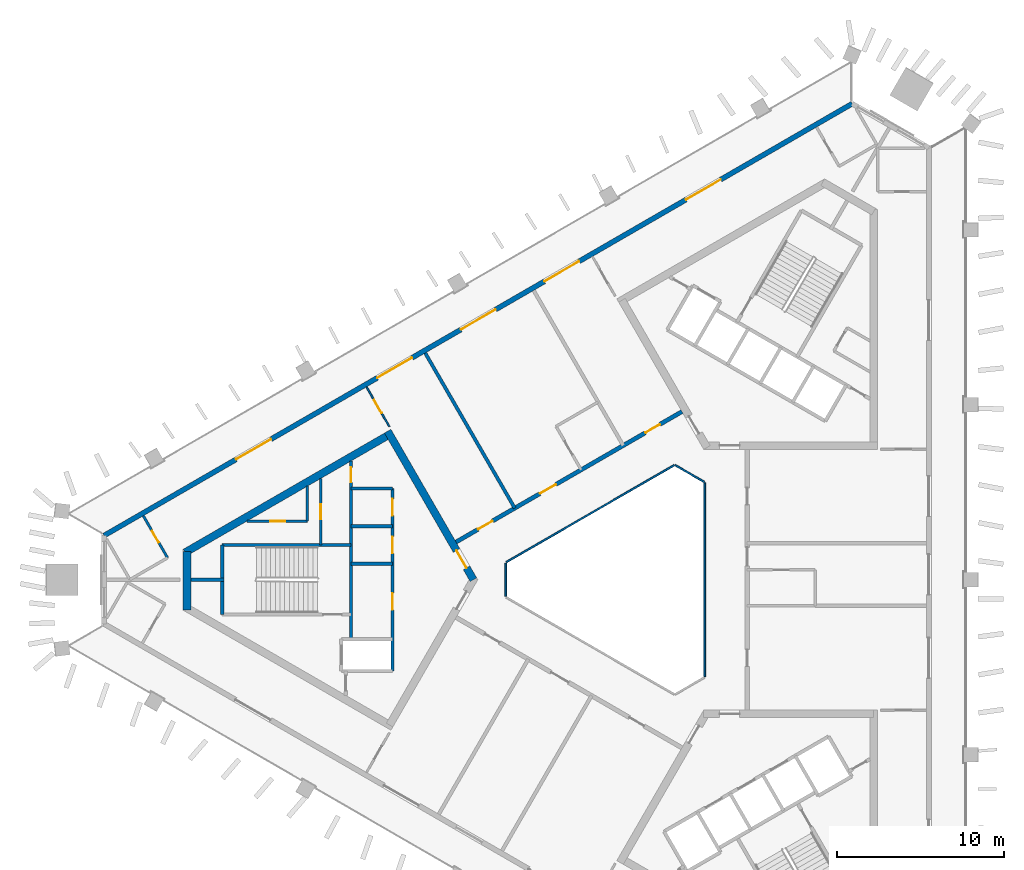
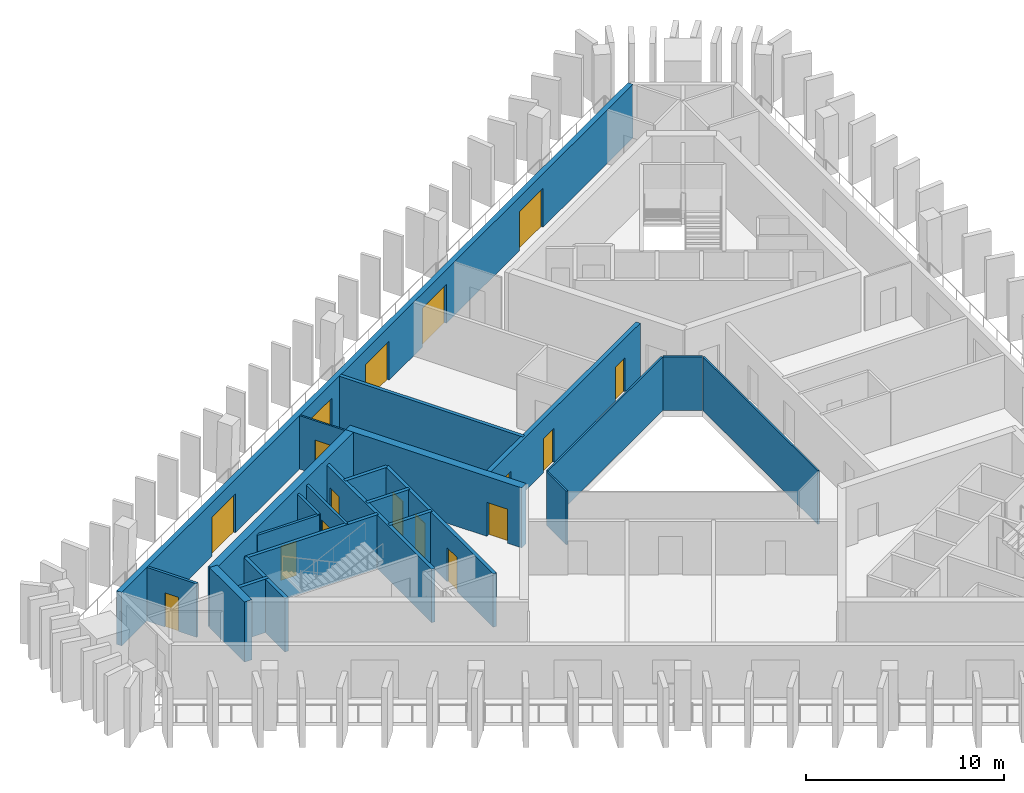
# One storey, part 4 of 9: 23 walls, 17 doors, 17 openings.
"""IFC4 building model written with IfcOpenShell, lengths in metres."""

from ifc_helpers import new_model, si_unit, direction, frame, frame_2d, origin, place, context, subcontext, project, spatial, rectangle, extrude, material, layer, layer_set, type_object, element, fill, save


model = new_model("IFC4")

# Units and contexts
model_context = context("Model", 3, precision=1e-05, world=origin(), true_north=direction((0.0, 1.0)))
body_context = subcontext(model_context, "Body", "Model", "MODEL_VIEW")
ifc_project = project(units=[si_unit("LENGTHUNIT", "METRE"), si_unit("AREAUNIT", "SQUARE_METRE"), si_unit("VOLUMEUNIT", "CUBIC_METRE"), si_unit("PLANEANGLEUNIT", "RADIAN"), si_unit("MASSUNIT", "GRAM", prefix="KILO")], contexts=[model_context])

# Site, building, storey
site_placement = place(None, origin())
site = spatial("IfcSite", under=ifc_project, at=site_placement, CompositionType="ELEMENT")
building_placement = place(site_placement, origin())
building = spatial("IfcBuilding", under=site, at=building_placement, Name="Jabali Bay Hotel Tower and Convention Centre", CompositionType="ELEMENT")
storey_placement = place(building_placement, frame((0.0, 0.0, 205.800048828125)))
storey = spatial("IfcBuildingStorey", under=building, at=storey_placement, Name="L50", CompositionType="ELEMENT", Elevation=205.800048828125)

# Walls
ifc_material_1 = material(Name="Fire-resistant glazing", Category="glass")
ifc_layer_1 = layer(ifc_material_1, 0.10009765625)
ifc_layer_set_1 = layer_set([ifc_layer_1], Name="Fire-resistant glazing")
wall_type_1 = type_object("IfcWallType", Name="Atrium glazed screen 100", PredefinedType="PARTITIONING", material=ifc_layer_set_1)
wall_1_placement = place(storey_placement, frame((79.56005859375, 74.205810546875, 0.0), z_axis=(0.0, 0.0, 1.0), x_axis=(0.0, 1.0, 0.0)))
element("IfcWall", 1, at=wall_1_placement, inside=storey, type_object=wall_type_1, Name="Atrium screen 1 L50", PredefinedType="PARTITIONING", context=body_context, shape_type="SweptSolid", body=[
    extrude(rectangle(XDim=11.58837890625, YDim=0.10009765625, at=frame_2d((5.794189453125, 0.0))), origin(), (0.0, 0.0, 1.0), 3.300048828125),
])
wall_2_placement = place(storey_placement, frame((79.530029296875, 85.84619140625, 0.0), z_axis=(0.0, 0.0, 1.0), x_axis=(-0.866041268327, 0.499972520799, 0.0)))
element("IfcWall", 2, at=wall_2_placement, inside=storey, type_object=wall_type_1, Name="Atrium screen 2 L50", PredefinedType="PARTITIONING", context=body_context, shape_type="SweptSolid", body=[
    extrude(rectangle(XDim=2.0, YDim=0.10009765625, at=frame_2d((1.0, 0.0))), origin(), (0.0, 0.0, 1.0), 3.300048828125),
])
wall_3_placement = place(storey_placement, frame((77.738037109375, 86.84619140625, 0.0), z_axis=(0.0, 0.0, 1.0), x_axis=(-0.866026658274, -0.499997827154, 0.0)))
element("IfcWall", 3, at=wall_3_placement, inside=storey, type_object=wall_type_1, Name="Atrium screen 3 L50", PredefinedType="PARTITIONING", context=body_context, shape_type="SweptSolid", body=[
    extrude(rectangle(XDim=11.58837890625, YDim=0.10009765625, at=frame_2d((5.794189453125, 0.0))), origin(), (0.0, 0.0, 1.0), 3.300048828125),
])
wall_4_placement = place(storey_placement, frame((67.672119140625, 81.0, 0.0), z_axis=(0.0, 0.0, 1.0), x_axis=(0.0, -1.0, 0.0)))
element("IfcWall", 4, at=wall_4_placement, inside=storey, type_object=wall_type_1, Name="Atrium screen 4 L50", PredefinedType="PARTITIONING", context=body_context, shape_type="SweptSolid", body=[
    extrude(rectangle(XDim=2.0, YDim=0.10009765625, at=frame_2d((1.0, 0.0))), origin(), (0.0, 0.0, 1.0), 3.300048828125),
])
ifc_material_2 = material(Name="Concrete C40", Category="concrete")
ifc_layer_2 = layer(ifc_material_2, 0.199951171875)
ifc_layer_set_2 = layer_set([ifc_layer_2], Name="Concrete C40")
wall_type_2 = type_object("IfcWallType", Name="Core partition wall 200", PredefinedType="PARTITIONING", material=ifc_layer_set_2)
wall_5_placement = place(storey_placement, frame((50.820068359375, 80.0, 0.0), z_axis=(0.0, 0.0, 1.0), x_axis=(-1.0, 0.0, 0.0)))
element("IfcWall", 5, at=wall_5_placement, inside=storey, type_object=wall_type_2, Name="Core wall 0.5 L50", PredefinedType="PARTITIONING", context=body_context, shape_type="SweptSolid", body=[
    extrude(rectangle(XDim=1.97314453125, YDim=0.199951171875, at=frame_2d((0.986572265625, 0.0))), origin(), (0.0, 0.0, 1.0), 3.300048828125),
])

# Wall, opening, door
ifc_material_3 = material(Name="Fire-rated board partition")
ifc_layer_3 = layer(ifc_material_3, 0.14990234375)
ifc_layer_set_3 = layer_set([ifc_layer_3], Name="Fire-rated board partition")
wall_type_3 = type_object("IfcWallType", Name="Core room partition 150", PredefinedType="PARTITIONING", material=ifc_layer_set_3)
wall_6_placement = place(storey_placement, frame((55.820068359375, 83.5, 0.0), z_axis=(0.0, 0.0, 1.0), x_axis=(-1.0, 0.0, 0.0)))
wall_6 = element("IfcWall", 6, at=wall_6_placement, inside=storey, type_object=wall_type_3, Name="Core wall 0.1 L50", PredefinedType="PARTITIONING", context=body_context, shape_type="SweptSolid", body=[
    extrude(rectangle(XDim=3.617919921875, YDim=0.14990234375, at=frame_2d((1.80908203125, 0.0))), origin(), (0.0, 0.0, 1.0), 3.300048828125),
])
opening_1_placement = place(wall_6_placement, frame((1.33154296875, 0.0, 0.0)))
opening_1 = element("IfcOpeningElement", 7, at=opening_1_placement, cuts=wall_6, Name="Opening D1082", PredefinedType="OPENING", context=body_context, shape_type="SweptSolid", body=[
    extrude(rectangle(XDim=0.89990234375, YDim=2.10009765625, at=frame_2d((0.449951171875, 1.050048828125))), frame((0.0, 0.08544921875, 0.0), z_axis=(0.0, -1.0, 0.0), x_axis=(1.0, 0.0, 0.0)), (0.0, 0.0, 1.0), 0.1708984375),
])
ifc_material_4 = material(Name="Fire-rated steel door", Category="steel")
door_type_1 = type_object("IfcDoorType", Name="Core room door 900 x 2100", OperationType="NOTDEFINED", PredefinedType="NOTDEFINED", material=ifc_material_4)
door_1_placement = place(opening_1_placement, origin())
door_1 = element("IfcDoor", 8, at=door_1_placement, inside=storey, type_object=door_type_1, Name="Core room door D1082", OperationType="SINGLE_SWING_LEFT", OverallHeight=2.10009765625, OverallWidth=0.89990234375, PredefinedType="NOTDEFINED", context=body_context, shape_type="SweptSolid", body=[
    extrude(rectangle(XDim=0.89990234375, YDim=2.10009765625, at=frame_2d((0.449951171875, 1.050048828125))), frame((0.0, 0.02490234375, 0.0), z_axis=(0.0, -1.0, 0.0), x_axis=(1.0, 0.0, 0.0)), (0.0, 0.0, 1.0), 0.050048828125),
])
fill(opening_1, door_1)

wall_7_placement = place(storey_placement, frame((56.6201171875, 86.050537109375, 0.0), z_axis=(0.0, 0.0, 1.0), x_axis=(0.0, -1.0, 0.0)))
wall_7 = element("IfcWall", 9, at=wall_7_placement, inside=storey, type_object=wall_type_3, Name="Core wall 0.13 L50", PredefinedType="PARTITIONING", context=body_context, shape_type="SweptSolid", body=[
    extrude(rectangle(XDim=3.9755859375, YDim=0.14990234375, at=frame_2d((1.98779296875, 0.0))), origin(), (0.0, 0.0, 1.0), 3.300048828125),
])
opening_2_placement = place(wall_7_placement, frame((1.537841796875, 0.0, 0.0)))
opening_2 = element("IfcOpeningElement", 10, at=opening_2_placement, cuts=wall_7, Name="Opening D1078", PredefinedType="OPENING", context=body_context, shape_type="SweptSolid", body=[
    extrude(rectangle(XDim=0.89990234375, YDim=2.10009765625, at=frame_2d((0.449951171875, 1.050048828125))), frame((0.0, 0.08544921875, 0.0), z_axis=(0.0, -1.0, 0.0), x_axis=(1.0, 0.0, 0.0)), (0.0, 0.0, 1.0), 0.1708984375),
])
door_2_placement = place(opening_2_placement, origin())
door_2 = element("IfcDoor", 11, at=door_2_placement, inside=storey, type_object=door_type_1, Name="Core room door D1078", OperationType="SINGLE_SWING_RIGHT", OverallHeight=2.10009765625, OverallWidth=0.89990234375, PredefinedType="NOTDEFINED", context=body_context, shape_type="SweptSolid", body=[
    extrude(rectangle(XDim=0.89990234375, YDim=2.10009765625, at=frame_2d((0.449951171875, 1.050048828125))), frame((0.0, 0.02490234375, 0.0), z_axis=(0.0, -1.0, 0.0), x_axis=(1.0, 0.0, 0.0)), (0.0, 0.0, 1.0), 0.050048828125),
])
fill(opening_2, door_2)

# Walls
wall_8_placement = place(storey_placement, frame((55.820068359375, 85.5888671875, 0.0), z_axis=(0.0, 0.0, 1.0), x_axis=(0.0, -1.0, 0.0)))
element("IfcWall", 12, at=wall_8_placement, inside=storey, type_object=wall_type_3, Name="Core wall 0.14 L50", PredefinedType="PARTITIONING", context=body_context, shape_type="SweptSolid", body=[
    extrude(rectangle(XDim=2.0888671875, YDim=0.14990234375, at=frame_2d((1.04443359375, 0.0))), origin(), (0.0, 0.0, 1.0), 3.300048828125),
])
ifc_layer_4 = layer(ifc_material_2, 0.199951171875)
ifc_layer_set_4 = layer_set([ifc_layer_4], Name="Concrete C40")
wall_type_4 = type_object("IfcWallType", Name="Core stair wall 200", PredefinedType="SOLIDWALL", material=ifc_layer_set_4)
for number, where, z_axis, x_axis, name in (
    (13, (60.89990234375, 85.449951171875, 0.0), (0.0, 0.0, 1.0), (-1.0, 0.0, 0.0), "Core wall 0.0 L50"),
    (14, (60.89990234375, 83.199951171875, 0.0), (0.0, 0.0, 1.0), (-1.0, 0.0, 0.0), "Core wall 0.2 L50"),
):
    element("IfcWall", number, at=place(storey_placement, frame(where, z_axis=z_axis, x_axis=x_axis)), inside=storey, type_object=wall_type_4, Name=name, PredefinedType="SOLIDWALL", context=body_context, shape_type="SweptSolid", body=[
        extrude(rectangle(XDim=2.47998046875, YDim=0.199951171875, at=frame_2d((1.239990234375, 0.0))), origin(), (0.0, 0.0, 1.0), 3.300048828125),
    ])
wall_9_placement = place(storey_placement, frame((58.419921875, 82.074951171875, 0.0), z_axis=(0.0, 0.0, 1.0), x_axis=(-1.0, 0.0, 0.0)))
element("IfcWall", 15, at=wall_9_placement, inside=storey, type_object=wall_type_4, Name="Core wall 0.3 L50", PredefinedType="SOLIDWALL", context=body_context, shape_type="SweptSolid", body=[
    extrude(rectangle(XDim=7.699951171875, YDim=0.199951171875, at=frame_2d((3.85009765625, 0.0))), origin(), (0.0, 0.0, 1.0), 3.300048828125),
])
wall_10_placement = place(storey_placement, frame((60.89990234375, 80.949951171875, 0.0), z_axis=(0.0, 0.0, 1.0), x_axis=(-1.0, 0.0, 0.0)))
element("IfcWall", 16, at=wall_10_placement, inside=storey, type_object=wall_type_4, Name="Core wall 0.4 L50", PredefinedType="SOLIDWALL", context=body_context, shape_type="SweptSolid", body=[
    extrude(rectangle(XDim=2.47998046875, YDim=0.199951171875, at=frame_2d((1.239990234375, 0.0))), origin(), (0.0, 0.0, 1.0), 3.300048828125),
])

# Wall, openings, doors
wall_11_placement = place(storey_placement, frame((60.89990234375, 85.449951171875, 0.0), z_axis=(0.0, 0.0, 1.0), x_axis=(0.0, -1.0, 0.0)))
wall_11 = element("IfcWall", 17, at=wall_11_placement, inside=storey, type_object=wall_type_4, Name="Core wall 0.9 L50", PredefinedType="SOLIDWALL", context=body_context, shape_type="SweptSolid", body=[
    extrude(rectangle(XDim=10.89990234375, YDim=0.199951171875, at=frame_2d((5.449951171875, 0.0))), origin(), (0.0, 0.0, 1.0), 3.300048828125),
])
opening_3_placement = place(wall_11_placement, frame((0.625, 0.0, 0.0)))
opening_3 = element("IfcOpeningElement", 18, at=opening_3_placement, cuts=wall_11, Name="Opening D1075", PredefinedType="OPENING", context=body_context, shape_type="SweptSolid", body=[
    extrude(rectangle(XDim=1.0, YDim=2.10009765625, at=frame_2d((0.5, 1.050048828125))), frame((0.0, 0.1103515625, 0.0), z_axis=(0.0, -1.0, 0.0), x_axis=(1.0, 0.0, 0.0)), (0.0, 0.0, 1.0), 0.220947265625),
])
opening_4_placement = place(wall_11_placement, frame((2.875, 0.0, 0.0)))
opening_4 = element("IfcOpeningElement", 19, at=opening_4_placement, cuts=wall_11, Name="Opening D1076", PredefinedType="OPENING", context=body_context, shape_type="SweptSolid", body=[
    extrude(rectangle(XDim=1.0, YDim=2.10009765625, at=frame_2d((0.5, 1.050048828125))), frame((0.0, 0.1103515625, 0.0), z_axis=(0.0, -1.0, 0.0), x_axis=(1.0, 0.0, 0.0)), (0.0, 0.0, 1.0), 0.220947265625),
])
opening_5_placement = place(wall_11_placement, frame((6.25, 0.0, 0.0)))
opening_5 = element("IfcOpeningElement", 20, at=opening_5_placement, cuts=wall_11, Name="Opening D1077", PredefinedType="OPENING", context=body_context, shape_type="SweptSolid", body=[
    extrude(rectangle(XDim=1.0, YDim=2.10009765625, at=frame_2d((0.5, 1.050048828125))), frame((0.0, 0.1103515625, 0.0), z_axis=(0.0, -1.0, 0.0), x_axis=(1.0, 0.0, 0.0)), (0.0, 0.0, 1.0), 0.220947265625),
])
door_type_2 = type_object("IfcDoorType", Name="Core room door 1000 x 2100", OperationType="NOTDEFINED", PredefinedType="NOTDEFINED", material=ifc_material_4)
door_3_placement = place(opening_3_placement, origin())
door_3 = element("IfcDoor", 21, at=door_3_placement, inside=storey, type_object=door_type_2, Name="Core room door D1075", OperationType="SINGLE_SWING_RIGHT", OverallHeight=2.10009765625, OverallWidth=1.0, PredefinedType="NOTDEFINED", context=body_context, shape_type="SweptSolid", body=[
    extrude(rectangle(XDim=1.0, YDim=2.10009765625, at=frame_2d((0.5, 1.050048828125))), frame((0.0, 0.02490234375, 0.0), z_axis=(0.0, -1.0, 0.0), x_axis=(1.0, 0.0, 0.0)), (0.0, 0.0, 1.0), 0.050048828125),
])
fill(opening_3, door_3)
door_4_placement = place(opening_4_placement, origin())
door_4 = element("IfcDoor", 22, at=door_4_placement, inside=storey, type_object=door_type_2, Name="Core room door D1076", OperationType="SINGLE_SWING_RIGHT", OverallHeight=2.10009765625, OverallWidth=1.0, PredefinedType="NOTDEFINED", context=body_context, shape_type="SweptSolid", body=[
    extrude(rectangle(XDim=1.0, YDim=2.10009765625, at=frame_2d((0.5, 1.050048828125))), frame((0.0, 0.02490234375, 0.0), z_axis=(0.0, -1.0, 0.0), x_axis=(1.0, 0.0, 0.0)), (0.0, 0.0, 1.0), 0.050048828125),
])
fill(opening_4, door_4)
door_5_placement = place(opening_5_placement, origin())
door_5 = element("IfcDoor", 23, at=door_5_placement, inside=storey, type_object=door_type_2, Name="Core room door D1077", OperationType="SINGLE_SWING_RIGHT", OverallHeight=2.10009765625, OverallWidth=1.0, PredefinedType="NOTDEFINED", context=body_context, shape_type="SweptSolid", body=[
    extrude(rectangle(XDim=1.0, YDim=2.10009765625, at=frame_2d((0.5, 1.050048828125))), frame((0.0, 0.02490234375, 0.0), z_axis=(0.0, -1.0, 0.0), x_axis=(1.0, 0.0, 0.0)), (0.0, 0.0, 1.0), 0.050048828125),
])
fill(opening_5, door_5)

# Wall, opening, door
wall_12_placement = place(storey_placement, frame((58.419921875, 87.08984375, 0.0), z_axis=(0.0, 0.0, 1.0), x_axis=(0.0, -1.0, 0.0)))
wall_12 = element("IfcWall", 24, at=wall_12_placement, inside=storey, type_object=wall_type_4, Name="Core wall 0.10 L50", PredefinedType="SOLIDWALL", context=body_context, shape_type="SweptSolid", body=[
    extrude(rectangle(XDim=10.639892578125, YDim=0.199951171875, at=frame_2d((5.31982421875, 0.0))), origin(), (0.0, 0.0, 1.0), 3.300048828125),
])
opening_6_placement = place(wall_12_placement, frame((0.369873046875, 0.0, 0.0)))
opening_6 = element("IfcOpeningElement", 25, at=opening_6_placement, cuts=wall_12, Name="Opening D1080", PredefinedType="OPENING", context=body_context, shape_type="SweptSolid", body=[
    extrude(rectangle(XDim=0.89990234375, YDim=2.10009765625, at=frame_2d((0.449951171875, 1.050048828125))), frame((0.0, 0.1103515625, 0.0), z_axis=(0.0, -1.0, 0.0), x_axis=(1.0, 0.0, 0.0)), (0.0, 0.0, 1.0), 0.220947265625),
])
door_type_3 = type_object("IfcDoorType", Name="Vestibule fire door 900 x 2100", OperationType="NOTDEFINED", PredefinedType="NOTDEFINED", material=ifc_material_4)
door_6_placement = place(opening_6_placement, origin())
door_6 = element("IfcDoor", 26, at=door_6_placement, inside=storey, type_object=door_type_3, Name="Vestibule fire door D1080", OperationType="SINGLE_SWING_LEFT", OverallHeight=2.10009765625, OverallWidth=0.89990234375, PredefinedType="NOTDEFINED", context=body_context, shape_type="SweptSolid", body=[
    extrude(rectangle(XDim=0.89990234375, YDim=2.10009765625, at=frame_2d((0.449951171875, 1.050048828125))), frame((0.0, 0.02490234375, 0.0), z_axis=(0.0, -1.0, 0.0), x_axis=(1.0, 0.0, 0.0)), (0.0, 0.0, 1.0), 0.050048828125),
])
fill(opening_6, door_6)

# Wall
wall_13_placement = place(storey_placement, frame((50.719970703125, 82.074951171875, 0.0), z_axis=(0.0, 0.0, 1.0), x_axis=(0.0, -1.0, 0.0)))
element("IfcWall", 27, at=wall_13_placement, inside=storey, type_object=wall_type_4, Name="Core wall 0.15 L50", PredefinedType="SOLIDWALL", context=body_context, shape_type="SweptSolid", body=[
    extrude(rectangle(XDim=4.14990234375, YDim=0.199951171875, at=frame_2d((2.074951171875, 0.0))), origin(), (0.0, 0.0, 1.0), 3.300048828125),
])

# Wall, opening, door
ifc_material_5 = material(Name="Concrete C60", Category="concrete")
ifc_layer_5 = layer(ifc_material_5, 0.449951171875)
ifc_layer_set_5 = layer_set([ifc_layer_5], Name="Concrete C60")
wall_type_5 = type_object("IfcWallType", Name="Core wall 450", PredefinedType="SHEAR", material=ifc_layer_set_5)
wall_14_placement = place(storey_placement, frame((65.740234375, 80.0, 0.0), z_axis=(0.0, 0.0, 1.0), x_axis=(-0.499991857942, 0.866030104553, 0.0)))
wall_14 = element("IfcWall", 28, at=wall_14_placement, inside=storey, type_object=wall_type_5, Name="Core wall 1.1 L50", PredefinedType="SHEAR", context=body_context, shape_type="SweptSolid", body=[
    extrude(rectangle(XDim=10.250244140625, YDim=0.449951171875, at=frame_2d((5.125, 0.0))), origin(), (0.0, 0.0, 1.0), 3.699951171875),
])
opening_7_placement = place(wall_14_placement, frame((0.820068359375, 0.0, 0.0)))
opening_7 = element("IfcOpeningElement", 29, at=opening_7_placement, cuts=wall_14, Name="Opening D1073", PredefinedType="OPENING", context=body_context, shape_type="SweptSolid", body=[
    extrude(rectangle(XDim=1.199951171875, YDim=2.10009765625, at=frame_2d((0.60009765625, 1.050048828125))), frame((0.0, 0.2353515625, 0.0), z_axis=(0.0, -1.0, 0.0), x_axis=(1.0, 0.0, 0.0)), (0.0, 0.0, 1.0), 0.470947265625),
])
door_type_4 = type_object("IfcDoorType", Name="Corridor end fire door 1200 x 2100", OperationType="NOTDEFINED", PredefinedType="NOTDEFINED", material=ifc_material_4)
door_7_placement = place(opening_7_placement, origin())
door_7 = element("IfcDoor", 30, at=door_7_placement, inside=storey, type_object=door_type_4, Name="Corridor end fire door D1073", OperationType="SINGLE_SWING_RIGHT", OverallHeight=2.10009765625, OverallWidth=1.199951171875, PredefinedType="NOTDEFINED", context=body_context, shape_type="SweptSolid", body=[
    extrude(rectangle(XDim=1.199951171875, YDim=2.10009765625, at=frame_2d((0.60009765625, 1.050048828125))), frame((0.0, 0.02490234375, 0.0), z_axis=(0.0, -1.0, 0.0), x_axis=(1.0, 0.0, 0.0)), (0.0, 0.0, 1.0), 0.050048828125),
])
fill(opening_7, door_7)

# Walls
wall_15_placement = place(storey_placement, frame((60.7275390625, 88.681884765625, 0.0), z_axis=(0.0, 0.0, 1.0), x_axis=(-0.866021613849, -0.500006564303, 0.0)))
element("IfcWall", 31, at=wall_15_placement, inside=storey, type_object=wall_type_5, Name="Core wall 1.2 L50", PredefinedType="SHEAR", context=body_context, shape_type="SweptSolid", body=[
    extrude(rectangle(XDim=14.108154296875, YDim=0.449951171875, at=frame_2d((7.05419921875, 0.0))), origin(), (0.0, 0.0, 1.0), 3.699951171875),
])
wall_16_placement = place(storey_placement, frame((48.621826171875, 81.692626953125, 0.0), z_axis=(0.0, 0.0, 1.0), x_axis=(0.0, -1.0, 0.0)))
element("IfcWall", 32, at=wall_16_placement, inside=storey, type_object=wall_type_5, Name="Core wall 1.3 L50", PredefinedType="SHEAR", context=body_context, shape_type="SweptSolid", body=[
    extrude(rectangle(XDim=3.515380859375, YDim=0.449951171875, at=frame_2d((1.7578125, 0.0))), origin(), (0.0, 0.0, 1.0), 3.699951171875),
])

# Wall, openings, doors
ifc_layer_6 = layer(ifc_material_5, 0.25)
ifc_layer_set_6 = layer_set([ifc_layer_6], Name="Concrete C60")
wall_type_6 = type_object("IfcWallType", Name="Corridor wall 250", PredefinedType="SHEAR", material=ifc_layer_set_6)
wall_17_placement = place(storey_placement, frame((78.199951171875, 90.0458984375, 0.0), z_axis=(0.0, 0.0, 1.0), x_axis=(-0.866026492143, -0.499998114903, 0.0)))
wall_17 = element("IfcWall", 33, at=wall_17_placement, inside=storey, type_object=wall_type_6, Name="Corridor wall 2 L50", PredefinedType="SHEAR", context=body_context, shape_type="SweptSolid", body=[
    extrude(rectangle(XDim=15.58837890625, YDim=0.25, at=frame_2d((7.794189453125, 0.0))), origin(), (0.0, 0.0, 1.0), 3.300048828125),
])
opening_8_placement = place(wall_17_placement, frame((1.526611328125, 0.0, 0.0)))
opening_8 = element("IfcOpeningElement", 34, at=opening_8_placement, cuts=wall_17, Name="Opening 5009", PredefinedType="OPENING", context=body_context, shape_type="SweptSolid", body=[
    extrude(rectangle(XDim=1.0, YDim=2.10009765625, at=frame_2d((0.5, 1.050048828125))), frame((0.0, 0.135498046875, 0.0), z_axis=(0.0, -1.0, 0.0), x_axis=(1.0, 0.0, 0.0)), (0.0, 0.0, 1.0), 0.27099609375),
])
opening_9_placement = place(wall_17_placement, frame((8.694091796875, 0.0, 0.0)))
opening_9 = element("IfcOpeningElement", 35, at=opening_9_placement, cuts=wall_17, Name="Opening 5013", PredefinedType="OPENING", context=body_context, shape_type="SweptSolid", body=[
    extrude(rectangle(XDim=1.10009765625, YDim=2.10009765625, at=frame_2d((0.550048828125, 1.050048828125))), frame((0.0, 0.135498046875, 0.0), z_axis=(0.0, -1.0, 0.0), x_axis=(1.0, 0.0, 0.0)), (0.0, 0.0, 1.0), 0.27099609375),
])
opening_10_placement = place(wall_17_placement, frame((13.06201171875, 0.0, 0.0)))
opening_10 = element("IfcOpeningElement", 36, at=opening_10_placement, cuts=wall_17, Name="Opening 5014", PredefinedType="OPENING", context=body_context, shape_type="SweptSolid", body=[
    extrude(rectangle(XDim=1.0, YDim=2.10009765625, at=frame_2d((0.5, 1.050048828125))), frame((0.0, 0.135498046875, 0.0), z_axis=(0.0, -1.0, 0.0), x_axis=(1.0, 0.0, 0.0)), (0.0, 0.0, 1.0), 0.27099609375),
])
ifc_material_6 = material(Name="Timber", Category="wood")
door_type_5 = type_object("IfcDoorType", Name="Accessible guest room door 1100 x 2100", OperationType="NOTDEFINED", PredefinedType="NOTDEFINED", material=ifc_material_6)
door_8_placement = place(opening_9_placement, origin())
door_8 = element("IfcDoor", 37, at=door_8_placement, inside=storey, type_object=door_type_5, Name="Door 5013", OperationType="SINGLE_SWING_RIGHT", OverallHeight=2.10009765625, OverallWidth=1.10009765625, PredefinedType="NOTDEFINED", context=body_context, shape_type="SweptSolid", body=[
    extrude(rectangle(XDim=1.10009765625, YDim=2.10009765625, at=frame_2d((0.550048828125, 1.050048828125))), frame((0.0, 0.02490234375, 0.0), z_axis=(0.0, -1.0, 0.0), x_axis=(1.0, 0.0, 0.0)), (0.0, 0.0, 1.0), 0.050048828125),
])
fill(opening_9, door_8)
door_type_6 = type_object("IfcDoorType", Name="Guest room door 1000 x 2100", OperationType="NOTDEFINED", PredefinedType="NOTDEFINED", material=ifc_material_6)
door_9_placement = place(opening_8_placement, origin())
door_9 = element("IfcDoor", 38, at=door_9_placement, inside=storey, type_object=door_type_6, Name="Door 5009", OperationType="SINGLE_SWING_LEFT", OverallHeight=2.10009765625, OverallWidth=1.0, PredefinedType="NOTDEFINED", context=body_context, shape_type="SweptSolid", body=[
    extrude(rectangle(XDim=1.0, YDim=2.10009765625, at=frame_2d((0.5, 1.050048828125))), frame((0.0, 0.02490234375, 0.0), z_axis=(0.0, -1.0, 0.0), x_axis=(1.0, 0.0, 0.0)), (0.0, 0.0, 1.0), 0.050048828125),
])
fill(opening_8, door_9)
door_10_placement = place(opening_10_placement, origin())
door_10 = element("IfcDoor", 39, at=door_10_placement, inside=storey, type_object=door_type_6, Name="Door 5014", OperationType="SINGLE_SWING_RIGHT", OverallHeight=2.10009765625, OverallWidth=1.0, PredefinedType="NOTDEFINED", context=body_context, shape_type="SweptSolid", body=[
    extrude(rectangle(XDim=1.0, YDim=2.10009765625, at=frame_2d((0.5, 1.050048828125))), frame((0.0, 0.02490234375, 0.0), z_axis=(0.0, -1.0, 0.0), x_axis=(1.0, 0.0, 0.0)), (0.0, 0.0, 1.0), 0.050048828125),
])
fill(opening_10, door_10)

ifc_layer_7 = layer(ifc_material_2, 0.300048828125)
ifc_layer_set_7 = layer_set([ifc_layer_7], Name="Concrete C40")
wall_type_7 = type_object("IfcWallType", Name="External wall 300", PredefinedType="SOLIDWALL", material=ifc_layer_set_7)
wall_18_placement = place(storey_placement, frame((43.672119140625, 82.640625, 0.0), z_axis=(0.0, 0.0, 1.0), x_axis=(0.866024917385, 0.500000842468, 0.0)))
wall_18 = element("IfcWall", 40, at=wall_18_placement, inside=storey, type_object=wall_type_7, Name="External wall north-west face L50", PredefinedType="SOLIDWALL", context=body_context, shape_type="SweptSolid", body=[
    extrude(rectangle(XDim=51.62109375, YDim=0.300048828125, at=frame_2d((25.810546875, 0.0))), origin(), (0.0, 0.0, 1.0), 3.300048828125),
])
opening_11_placement = place(wall_18_placement, frame((24.610595703125, 0.0, 0.0)))
opening_11 = element("IfcOpeningElement", 41, at=opening_11_placement, cuts=wall_18, Name="Opening SD1", PredefinedType="OPENING", context=body_context, shape_type="SweptSolid", body=[
    extrude(rectangle(XDim=2.39990234375, YDim=2.39990234375, at=frame_2d((1.199951171875, 1.199951171875))), frame((0.0, 0.16064453125, 0.0), z_axis=(0.0, -1.0, 0.0), x_axis=(1.0, 0.0, 0.0)), (0.0, 0.0, 1.0), 0.321044921875),
])
opening_12_placement = place(wall_18_placement, frame((30.378173828125, 0.0, 0.0)))
opening_12 = element("IfcOpeningElement", 42, at=opening_12_placement, cuts=wall_18, Name="Opening SD1", PredefinedType="OPENING", context=body_context, shape_type="SweptSolid", body=[
    extrude(rectangle(XDim=2.39990234375, YDim=2.39990234375, at=frame_2d((1.199951171875, 1.199951171875))), frame((0.0, 0.16064453125, 0.0), z_axis=(0.0, -1.0, 0.0), x_axis=(1.0, 0.0, 0.0)), (0.0, 0.0, 1.0), 0.321044921875),
])
opening_13_placement = place(wall_18_placement, frame((40.14697265625, 0.0, 0.0)))
opening_13 = element("IfcOpeningElement", 43, at=opening_13_placement, cuts=wall_18, Name="Opening SD1", PredefinedType="OPENING", context=body_context, shape_type="SweptSolid", body=[
    extrude(rectangle(XDim=2.39990234375, YDim=2.39990234375, at=frame_2d((1.199951171875, 1.199951171875))), frame((0.0, 0.16064453125, 0.0), z_axis=(0.0, -1.0, 0.0), x_axis=(1.0, 0.0, 0.0)), (0.0, 0.0, 1.0), 0.321044921875),
])
opening_14_placement = place(wall_18_placement, frame((18.8427734375, 0.0, 0.0)))
opening_14 = element("IfcOpeningElement", 44, at=opening_14_placement, cuts=wall_18, Name="Opening SD1", PredefinedType="OPENING", context=body_context, shape_type="SweptSolid", body=[
    extrude(rectangle(XDim=2.39990234375, YDim=2.39990234375, at=frame_2d((1.199951171875, 1.199951171875))), frame((0.0, 0.16064453125, 0.0), z_axis=(0.0, -1.0, 0.0), x_axis=(1.0, 0.0, 0.0)), (0.0, 0.0, 1.0), 0.321044921875),
])
opening_15_placement = place(wall_18_placement, frame((9.107421875, 0.0, 0.0)))
opening_15 = element("IfcOpeningElement", 45, at=opening_15_placement, cuts=wall_18, Name="Opening SD1", PredefinedType="OPENING", context=body_context, shape_type="SweptSolid", body=[
    extrude(rectangle(XDim=2.39990234375, YDim=2.39990234375, at=frame_2d((1.199951171875, 1.199951171875))), frame((0.0, 0.16064453125, 0.0), z_axis=(0.0, -1.0, 0.0), x_axis=(1.0, 0.0, 0.0)), (0.0, 0.0, 1.0), 0.321044921875),
])
ifc_material_7 = material(Name="Glass", Category="glass")
door_type_7 = type_object("IfcDoorType", Name="Loggia sliding door 2400 x 2400", OperationType="NOTDEFINED", PredefinedType="NOTDEFINED", material=ifc_material_7)
door_11_placement = place(opening_11_placement, origin())
door_11 = element("IfcDoor", 46, at=door_11_placement, inside=storey, type_object=door_type_7, Name="Loggia sliding door 5005", OperationType="SLIDING_TO_LEFT", OverallHeight=2.39990234375, OverallWidth=2.39990234375, PredefinedType="NOTDEFINED", context=body_context, shape_type="SweptSolid", body=[
    extrude(rectangle(XDim=2.39990234375, YDim=2.39990234375, at=frame_2d((1.199951171875, 1.199951171875))), frame((0.0, 0.02490234375, 0.0), z_axis=(0.0, -1.0, 0.0), x_axis=(1.0, 0.0, 0.0)), (0.0, 0.0, 1.0), 0.050048828125),
])
fill(opening_11, door_11)
door_12_placement = place(opening_12_placement, origin())
door_12 = element("IfcDoor", 47, at=door_12_placement, inside=storey, type_object=door_type_7, Name="Loggia sliding door 5004", OperationType="SLIDING_TO_RIGHT", OverallHeight=2.39990234375, OverallWidth=2.39990234375, PredefinedType="NOTDEFINED", context=body_context, shape_type="SweptSolid", body=[
    extrude(rectangle(XDim=2.39990234375, YDim=2.39990234375, at=frame_2d((1.199951171875, 1.199951171875))), frame((0.0, 0.02490234375, 0.0), z_axis=(0.0, -1.0, 0.0), x_axis=(1.0, 0.0, 0.0)), (0.0, 0.0, 1.0), 0.050048828125),
])
fill(opening_12, door_12)
door_13_placement = place(opening_13_placement, origin())
door_13 = element("IfcDoor", 48, at=door_13_placement, inside=storey, type_object=door_type_7, Name="Loggia sliding door 5004", OperationType="SLIDING_TO_LEFT", OverallHeight=2.39990234375, OverallWidth=2.39990234375, PredefinedType="NOTDEFINED", context=body_context, shape_type="SweptSolid", body=[
    extrude(rectangle(XDim=2.39990234375, YDim=2.39990234375, at=frame_2d((1.199951171875, 1.199951171875))), frame((0.0, 0.02490234375, 0.0), z_axis=(0.0, -1.0, 0.0), x_axis=(1.0, 0.0, 0.0)), (0.0, 0.0, 1.0), 0.050048828125),
])
fill(opening_13, door_13)
door_14_placement = place(opening_14_placement, origin())
door_14 = element("IfcDoor", 49, at=door_14_placement, inside=storey, type_object=door_type_7, Name="Loggia sliding door 5006", OperationType="SLIDING_TO_RIGHT", OverallHeight=2.39990234375, OverallWidth=2.39990234375, PredefinedType="NOTDEFINED", context=body_context, shape_type="SweptSolid", body=[
    extrude(rectangle(XDim=2.39990234375, YDim=2.39990234375, at=frame_2d((1.199951171875, 1.199951171875))), frame((0.0, 0.02490234375, 0.0), z_axis=(0.0, -1.0, 0.0), x_axis=(1.0, 0.0, 0.0)), (0.0, 0.0, 1.0), 0.050048828125),
])
fill(opening_14, door_14)
door_15_placement = place(opening_15_placement, origin())
door_15 = element("IfcDoor", 50, at=door_15_placement, inside=storey, type_object=door_type_7, Name="Loggia sliding door 5006", OperationType="SLIDING_TO_LEFT", OverallHeight=2.39990234375, OverallWidth=2.39990234375, PredefinedType="NOTDEFINED", context=body_context, shape_type="SweptSolid", body=[
    extrude(rectangle(XDim=2.39990234375, YDim=2.39990234375, at=frame_2d((1.199951171875, 1.199951171875))), frame((0.0, 0.02490234375, 0.0), z_axis=(0.0, -1.0, 0.0), x_axis=(1.0, 0.0, 0.0)), (0.0, 0.0, 1.0), 0.050048828125),
])
fill(opening_15, door_15)

# Wall, opening, door
ifc_material_8 = material(Name="Plasterboard on steel stud", Category="steel")
ifc_layer_8 = layer(ifc_material_8, 0.10009765625)
ifc_layer_set_8 = layer_set([ifc_layer_8], Name="Plasterboard on steel stud")
wall_type_8 = type_object("IfcWallType", Name="Partition 100 unit", PredefinedType="PARTITIONING", material=ifc_layer_set_8)
wall_19_placement = place(storey_placement, frame((59.34912109375, 91.519775390625, 0.0), z_axis=(0.0, 0.0, 1.0), x_axis=(0.499957886064, -0.866049716911, 0.0)))
wall_19 = element("IfcWall", 51, at=wall_19_placement, inside=storey, type_object=wall_type_8, Name="Partition P02 L50 024", PredefinedType="PARTITIONING", context=body_context, shape_type="SweptSolid", body=[
    extrude(rectangle(XDim=2.722900390625, YDim=0.10009765625, at=frame_2d((1.361328125, 0.0))), origin(), (0.0, 0.0, 1.0), 3.300048828125),
])
opening_16_placement = place(wall_19_placement, frame((0.910888671875, 0.0, 0.0)))
opening_16 = element("IfcOpeningElement", 52, at=opening_16_placement, cuts=wall_19, Name="Opening 5015", PredefinedType="OPENING", context=body_context, shape_type="SweptSolid", body=[
    extrude(rectangle(XDim=0.89990234375, YDim=2.10009765625, at=frame_2d((0.449951171875, 1.050048828125))), frame((0.0, 0.060546875, 0.0), z_axis=(0.0, -1.0, 0.0), x_axis=(1.0, 0.0, 0.0)), (0.0, 0.0, 1.0), 0.12109375),
])
door_type_8 = type_object("IfcDoorType", Name="Internal door 900 x 2100", OperationType="NOTDEFINED", PredefinedType="NOTDEFINED", material=ifc_material_6)
door_16_placement = place(opening_16_placement, origin())
door_16 = element("IfcDoor", 53, at=door_16_placement, inside=storey, type_object=door_type_8, Name="Door 5015", OperationType="SINGLE_SWING_LEFT", OverallHeight=2.10009765625, OverallWidth=0.89990234375, PredefinedType="NOTDEFINED", context=body_context, shape_type="SweptSolid", body=[
    extrude(rectangle(XDim=0.89990234375, YDim=2.10009765625, at=frame_2d((0.449951171875, 1.050048828125))), frame((0.0, 0.02490234375, 0.0), z_axis=(0.0, -1.0, 0.0), x_axis=(1.0, 0.0, 0.0)), (0.0, 0.0, 1.0), 0.050048828125),
])
fill(opening_16, door_16)

ifc_layer_9 = layer(ifc_material_8, 0.14990234375)
ifc_layer_set_9 = layer_set([ifc_layer_9], Name="Plasterboard on steel stud")
wall_type_9 = type_object("IfcWallType", Name="Partition 150 wet", PredefinedType="PARTITIONING", material=ifc_layer_set_9)
wall_20_placement = place(storey_placement, frame((46.012451171875, 83.819580078125, 0.0), z_axis=(0.0, 0.0, 1.0), x_axis=(0.499987231761, -0.866032775405, 0.0)))
wall_20 = element("IfcWall", 54, at=wall_20_placement, inside=storey, type_object=wall_type_9, Name="Partition P03 L50 025", PredefinedType="PARTITIONING", context=body_context, shape_type="SweptSolid", body=[
    extrude(rectangle(XDim=2.89990234375, YDim=0.14990234375, at=frame_2d((1.449951171875, 0.0))), origin(), (0.0, 0.0, 1.0), 3.300048828125),
])
opening_17_placement = place(wall_20_placement, frame((1.050048828125, 0.0, 0.0)))
opening_17 = element("IfcOpeningElement", 55, at=opening_17_placement, cuts=wall_20, Name="Opening 5016", PredefinedType="OPENING", context=body_context, shape_type="SweptSolid", body=[
    extrude(rectangle(XDim=0.800048828125, YDim=2.10009765625, at=frame_2d((0.39990234375, 1.050048828125))), frame((0.0, 0.08544921875, 0.0), z_axis=(0.0, -1.0, 0.0), x_axis=(1.0, 0.0, 0.0)), (0.0, 0.0, 1.0), 0.1708984375),
])
door_type_9 = type_object("IfcDoorType", Name="En-suite door 800 x 2100", OperationType="NOTDEFINED", PredefinedType="NOTDEFINED", material=ifc_material_6)
door_17_placement = place(opening_17_placement, origin())
door_17 = element("IfcDoor", 56, at=door_17_placement, inside=storey, type_object=door_type_9, Name="Door 5016", OperationType="SINGLE_SWING_LEFT", OverallHeight=2.10009765625, OverallWidth=0.800048828125, PredefinedType="NOTDEFINED", context=body_context, shape_type="SweptSolid", body=[
    extrude(rectangle(XDim=0.800048828125, YDim=2.10009765625, at=frame_2d((0.39990234375, 1.050048828125))), frame((0.0, 0.02490234375, 0.0), z_axis=(0.0, -1.0, 0.0), x_axis=(1.0, 0.0, 0.0)), (0.0, 0.0, 1.0), 0.050048828125),
])
fill(opening_17, door_17)

# Wall
ifc_layer_10 = layer(ifc_material_8, 0.199951171875)
ifc_layer_set_10 = layer_set([ifc_layer_10], Name="Plasterboard on steel stud")
wall_type_10 = type_object("IfcWallType", Name="Partition 200 party", PredefinedType="PARTITIONING", material=ifc_layer_set_10)
wall_21_placement = place(storey_placement, frame((62.859130859375, 93.546142578125, 0.0), z_axis=(0.0, 0.0, 1.0), x_axis=(0.499993653641, -0.866029067825, 0.0)))
element("IfcWall", 57, at=wall_21_placement, inside=storey, type_object=wall_type_10, Name="Partition P01 L50 023", PredefinedType="PARTITIONING", context=body_context, shape_type="SweptSolid", body=[
    extrude(rectangle(XDim=10.701904296875, YDim=0.199951171875, at=frame_2d((5.35107421875, 0.0))), origin(), (0.0, 0.0, 1.0), 3.300048828125),
])

save(model, "model.ifc")
